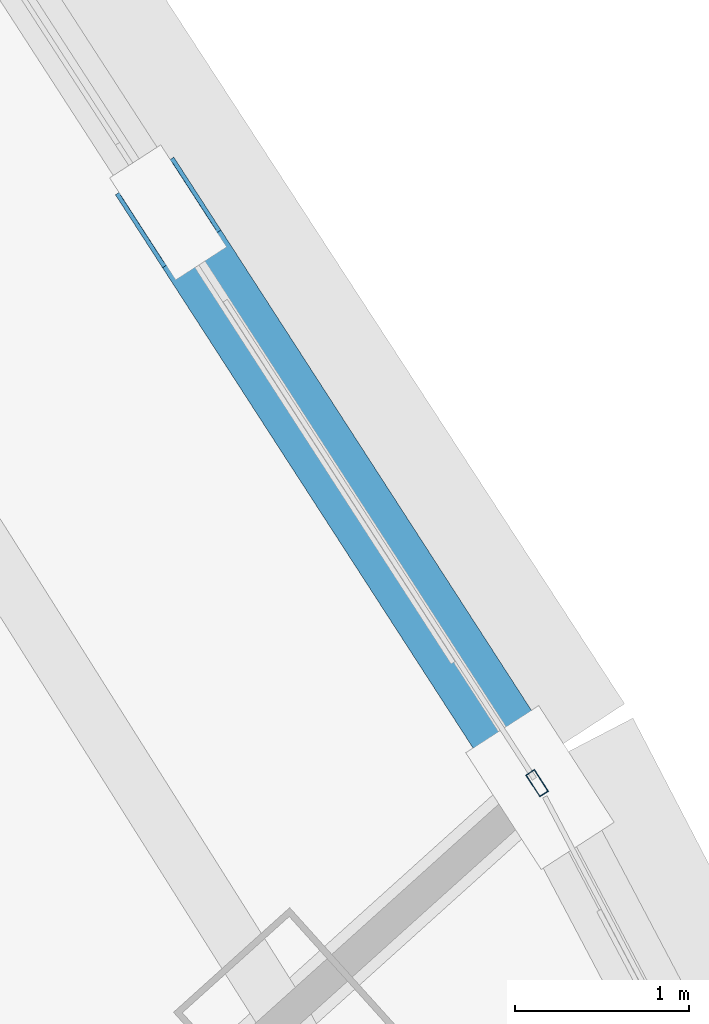
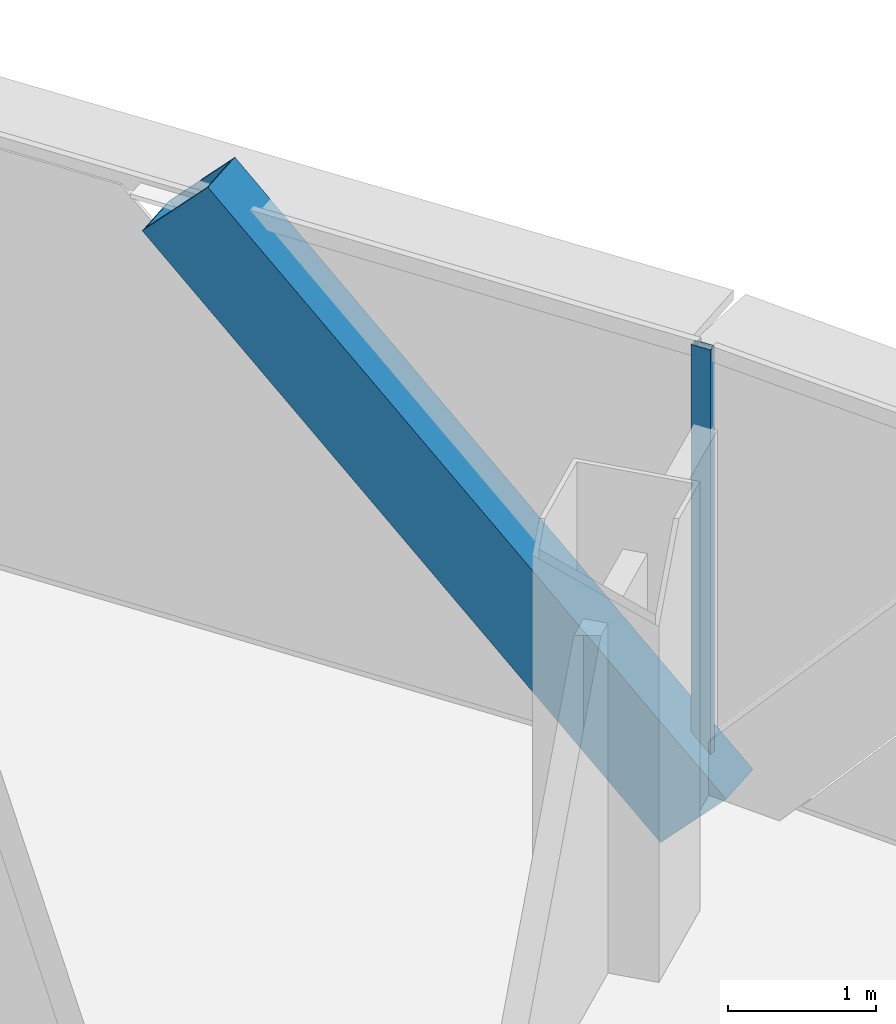
# One storey, part 20 of 37: 2 members, 1 element without a shape of its own.
"""IFC4 building model written with IfcOpenShell, lengths in metres."""

import ifcopenshell
import ifcopenshell.guid

model = None  # the IFC model being written
_history = None  # IfcOwnerHistory: only IFC2X3 demands one
_inside = {}  # id of a spatial element -> (the spatial element, [elements in it])
_under = {}  # id of a project, library or spatial element -> (it, [spatial elements below it])
_declared = {}  # id of a project -> (the project, [libraries it declares])
_typed = {}  # id of a type object -> (the type object, [elements of that type])
_made_of = {}  # id of a material, layer set ... -> (it, [elements and type objects made of it])


def new_model(schema):
    """Start an empty IFC model of exactly this schema.

    Asked for "IFC4X3", IfcOpenShell would pick the latest addendum, in which some entities
    have other attributes; the version numbers below select the first issue.
    IFC2X3 requires an IfcOwnerHistory on every rooted entity: one is made here for all.
    """
    global model, _history
    if schema == "IFC4X3":
        model = ifcopenshell.file(schema_version=(4, 3, 0, 0))
    else:
        model = ifcopenshell.file(schema=schema)
    _inside.clear()
    _under.clear()
    _declared.clear()
    _typed.clear()
    _made_of.clear()
    _history = None
    if model.schema == "IFC2X3":
        org = make("IfcOrganization", Name="unknown")
        user = make(
            "IfcPersonAndOrganization",
            ThePerson=make("IfcPerson", FamilyName="unknown"),
            TheOrganization=org,
        )
        app = make(
            "IfcApplication",
            ApplicationDeveloper=org,
            Version="unknown",
            ApplicationFullName="unknown",
            ApplicationIdentifier="unknown",
        )
        _history = make(
            "IfcOwnerHistory",
            OwningUser=user,
            OwningApplication=app,
            ChangeAction="ADDED",
            CreationDate=0,
        )
    return model


def make(cls, **values):
    """One entity of the class cls with the attributes given. An attribute that is None is left unset."""
    return model.create_entity(
        cls, **{name: value for name, value in values.items() if value is not None}
    )


def rooted(cls, **values):
    """An entity with a GlobalId (a new one), such as an element, a storey or a relation."""
    return make(cls, GlobalId=ifcopenshell.guid.new(), OwnerHistory=_history, **values)


def si_unit(unit_type, name, prefix=None):
    """IfcSIUnit, for example si_unit("LENGTHUNIT", "METRE", prefix="MILLI")."""
    return make("IfcSIUnit", UnitType=unit_type, Prefix=prefix, Name=name)


def assignment(units):
    """IfcUnitAssignment: the units of a project."""
    return None if units is None else make("IfcUnitAssignment", Units=units)


def point(xyz):
    """IfcCartesianPoint."""
    return None if xyz is None else make("IfcCartesianPoint", Coordinates=xyz)


def direction(xyz):
    """IfcDirection."""
    return None if xyz is None else make("IfcDirection", DirectionRatios=xyz)


def frame(location, z_axis=None, x_axis=None):
    """IfcAxis2Placement3D, a coordinate frame: its origin and axes. An axis left out is left unset."""
    return make(
        "IfcAxis2Placement3D",
        Location=point(location),
        Axis=direction(z_axis),
        RefDirection=direction(x_axis),
    )


def frame_2d(location, x_axis=None):
    """IfcAxis2Placement2D, a coordinate frame in the plane: its origin and x axis."""
    return make(
        "IfcAxis2Placement2D", Location=point(location), RefDirection=direction(x_axis)
    )


def origin():
    """The frame at (0, 0, 0) with its axes left unset."""
    return frame((0.0, 0.0, 0.0))


def origin_2d():
    """The frame at (0, 0) in the plane with its x axis left unset."""
    return frame_2d((0.0, 0.0))


def place(relative_to, where):
    """IfcLocalPlacement: puts the frame where relative to a parent placement (None: the world)."""
    return make(
        "IfcLocalPlacement", PlacementRelTo=relative_to, RelativePlacement=where
    )


def context(
    kind, dimensions, precision=None, world=None, true_north=None, identifier=None
):
    """IfcGeometricRepresentationContext, for example the 3D "Model" context."""
    return make(
        "IfcGeometricRepresentationContext",
        ContextIdentifier=identifier,
        ContextType=kind,
        CoordinateSpaceDimension=dimensions,
        Precision=precision,
        WorldCoordinateSystem=world,
        TrueNorth=true_north,
    )


def subcontext(parent, identifier, kind, view, scale=None):
    """IfcGeometricRepresentationSubContext, for example "Body" below "Model"."""
    return make(
        "IfcGeometricRepresentationSubContext",
        ContextIdentifier=identifier,
        ContextType=kind,
        ParentContext=parent,
        TargetScale=scale,
        TargetView=view,
    )


def project(units=None, contexts=None):
    """IfcProject with its units and contexts."""
    return rooted(
        "IfcProject",
        Name="project",
        RepresentationContexts=contexts,
        UnitsInContext=assignment(units),
    )


def spatial(cls, under=None, at=None, **own):
    """A site, building, storey or space (cls), placed at a placement, below another one or the project."""
    s = rooted(cls, ObjectPlacement=at, **own)
    if under is not None:
        _under.setdefault(under.id(), (under, []))[1].append(s)
    return s


def profile(cls, at=None, kind="AREA", **sizes):
    """A parametric profile (cls). Its sizes go by their IFC names, for example OverallWidth=200.0."""
    return make(cls, ProfileType=kind, Position=at, **sizes)


def hollow_rectangle(**sizes):
    """IfcRectangleHollowProfileDef."""
    return profile("IfcRectangleHollowProfileDef", **sizes)


def extrude(swept, where, along, depth):
    """IfcExtrudedAreaSolid: the profile swept, set in the frame where, extruded along a direction by depth."""
    return make(
        "IfcExtrudedAreaSolid",
        SweptArea=swept,
        Position=where,
        ExtrudedDirection=direction(along),
        Depth=depth,
    )


def shape(context_of_items, identifier, shape_type, items):
    """IfcShapeRepresentation: the items that make up one representation, for example the "Body"."""
    return make(
        "IfcShapeRepresentation",
        ContextOfItems=context_of_items,
        RepresentationIdentifier=identifier,
        RepresentationType=shape_type,
        Items=items,
    )


def source(mapping_origin, context_of_items, identifier, shape_type, items):
    """IfcRepresentationMap: a shape defined once, which mapped items show again and again."""
    return make(
        "IfcRepresentationMap",
        MappingOrigin=mapping_origin,
        MappedRepresentation=shape(context_of_items, identifier, shape_type, items),
    )


def transform(
    local_origin,
    x_axis=None,
    y_axis=None,
    z_axis=None,
    scale=None,
    scale2=None,
    scale3=None,
    uniform=True,
):
    """IfcCartesianTransformationOperator3D, or its non-uniform kind. x_axis, y_axis, z_axis: its Axis1, 2, 3."""
    if uniform:
        return make(
            "IfcCartesianTransformationOperator3D",
            Axis1=direction(x_axis),
            Axis2=direction(y_axis),
            LocalOrigin=point(local_origin),
            Scale=scale,
            Axis3=direction(z_axis),
        )
    return make(
        "IfcCartesianTransformationOperator3DnonUniform",
        Axis1=direction(x_axis),
        Axis2=direction(y_axis),
        LocalOrigin=point(local_origin),
        Scale=scale,
        Axis3=direction(z_axis),
        Scale2=scale2,
        Scale3=scale3,
    )


def mapped(mapping_source, mapping_target):
    """IfcMappedItem: shows the shape of a source again, moved by a transform."""
    return make(
        "IfcMappedItem", MappingSource=mapping_source, MappingTarget=mapping_target
    )


def material(Name=None, Category=None):
    """IfcMaterial."""
    return make("IfcMaterial", Name=Name, Category=Category)


def layer(
    of_material, thickness, ventilated=None, Name=None, Category=None, Priority=None
):
    """IfcMaterialLayer: one layer of a wall or slab, of a material (None: an air gap)."""
    return make(
        "IfcMaterialLayer",
        Material=of_material,
        LayerThickness=thickness,
        IsVentilated=ventilated,
        Name=Name,
        Category=Category,
        Priority=Priority,
    )


def layer_set(layers, Name=None):
    """IfcMaterialLayerSet."""
    return make("IfcMaterialLayerSet", MaterialLayers=layers, LayerSetName=Name)


def material_profile(
    of_material, cross_section, Name=None, Category=None, Priority=None
):
    """IfcMaterialProfile: a cross section and its material."""
    return make(
        "IfcMaterialProfile",
        Name=Name,
        Material=of_material,
        Profile=cross_section,
        Priority=Priority,
        Category=Category,
    )


def profile_set(profiles, Name=None, composite=None):
    """IfcMaterialProfileSet."""
    return make(
        "IfcMaterialProfileSet",
        Name=Name,
        MaterialProfiles=profiles,
        CompositeProfile=composite,
    )


def made_of(thing, what):
    """Note that an element or type object is made of a material, layer set ...; save() writes the relation."""
    if what is not None:
        _made_of.setdefault(what.id(), (what, []))[1].append(thing)
    return thing


def type_object(cls, material=None, **own):
    """A type object (cls), such as IfcWallType, which elements share."""
    return made_of(rooted(cls, **own), material)


def element(
    cls,
    number,
    at=None,
    inside=None,
    cuts=None,
    type_object=None,
    material=None,
    context=None,
    identifier="Body",
    shape_type=None,
    held_by="IfcProductDefinitionShape",
    body=None,
    shapes=None,
    **own,
):
    """One element of the class cls, such as IfcWall. Its Tag is "e" and its number.

    at: its placement. inside: the storey or other place that contains it. cuts: it is an
    opening in that element (IfcRelVoidsElement). A single representation is given by context,
    identifier, shape_type and body (its items); several are given by shapes. held_by: the class
    of the entity that holds the representations. save() writes the other relations.
    """
    e = rooted(cls, Tag="e%d" % number, ObjectPlacement=at, **own)
    if body is not None:
        shapes = [shape(context, identifier, shape_type, body)]
    if shapes is not None:
        e.Representation = make(held_by, Representations=shapes)
    if inside is not None:
        _inside.setdefault(inside.id(), (inside, []))[1].append(e)
    if cuts is not None:
        rooted(
            "IfcRelVoidsElement", RelatingBuildingElement=cuts, RelatedOpeningElement=e
        )
    if type_object is not None:
        _typed.setdefault(type_object.id(), (type_object, []))[1].append(e)
    return made_of(e, material)


def aggregate(whole, parts):
    """IfcRelAggregates: a whole, such as a stair, and the parts it consists of."""
    return rooted("IfcRelAggregates", RelatingObject=whole, RelatedObjects=parts)


def save(model, path):
    """Write the relations noted so far, then the file.

    IfcRelAggregates (storeys below a building ...), IfcRelContainedInSpatialStructure (elements
    in a storey), IfcRelDefinesByType, IfcRelAssociatesMaterial and IfcRelDeclares: one each for
    every whole, place, type object, material and project.
    """
    for whole, parts in _under.values():
        aggregate(whole, parts)
    for where, things in _inside.values():
        rooted(
            "IfcRelContainedInSpatialStructure",
            RelatedElements=things,
            RelatingStructure=where,
        )
    for kind, things in _typed.values():
        rooted("IfcRelDefinesByType", RelatedObjects=things, RelatingType=kind)
    for what, things in _made_of.values():
        rooted("IfcRelAssociatesMaterial", RelatedObjects=things, RelatingMaterial=what)
    for by, libraries in _declared.values():
        rooted("IfcRelDeclares", RelatingContext=by, RelatedDefinitions=libraries)
    model.write(path)


model = new_model("IFC4")

# Units and contexts
model_context = context("Model", 3, precision=1e-05, world=origin(), true_north=direction((0.0, 1.0)))
body_context = subcontext(model_context, "Body", "Model", "MODEL_VIEW")
ifc_project = project(units=[si_unit("LENGTHUNIT", "METRE"), si_unit("AREAUNIT", "SQUARE_METRE"), si_unit("VOLUMEUNIT", "CUBIC_METRE"), si_unit("PLANEANGLEUNIT", "RADIAN"), si_unit("MASSUNIT", "GRAM", prefix="KILO"), si_unit("THERMODYNAMICTEMPERATUREUNIT", "KELVIN"), si_unit("POWERUNIT", "WATT")], contexts=[model_context])

# Site, building, storey
site_placement = place(None, origin())
site = spatial("IfcSite", under=ifc_project, at=site_placement, CompositionType="ELEMENT")
building_placement = place(site_placement, origin())
building = spatial("IfcBuilding", under=site, at=building_placement, Name="Yunzhuo Pagoda Commons", CompositionType="ELEMENT")
storey_placement = place(building_placement, frame((0.0, 0.0, 192.360107421875)))
storey = spatial("IfcBuildingStorey", under=building, at=storey_placement, Name="L48", CompositionType="ELEMENT", Elevation=192.360107421875)

# Member
ifc_material_1 = material(Name="Structural steel Q355B", Category="steel")
ifc_material_profile_1 = material_profile(ifc_material_1, hollow_rectangle(XDim=0.39990234375, YDim=0.719970703125, WallThickness=0.02392578125, at=origin_2d()), Name="Structural steel Q355B")
ifc_profile_set_1 = profile_set([ifc_material_profile_1], Name="Structural steel Q355B")
member_type_1 = type_object("IfcMemberType", Name="M-DL2 Brace BOX 720x400x24", PredefinedType="BRACE", material=ifc_profile_set_1)
shared_shape_1 = source(origin(), body_context, "Body", "SweptSolid", [
    extrude(hollow_rectangle(XDim=0.39990234375, YDim=0.719970703125, WallThickness=0.02392578125, at=origin_2d()), origin(), (0.0, 0.0, 1.0), 5.474609375),
])
member_1_placement = place(storey_placement, frame((72.124267578125, 55.421630859375, -0.260009765625), z_axis=(-0.390830371992, 0.604574093234, 0.694076210599), x_axis=(-0.839801094268, -0.542894208908, 0.0)))
element("IfcMember", 1, at=member_1_placement, inside=storey, type_object=member_type_1, Name="L48 facade diamond brace F2.3L", PredefinedType="BRACE", context=body_context, shape_type="MappedRepresentation", body=[
    mapped(shared_shape_1, transform((0.0, 0.0, 0.0), scale=1.0)),
])

# Curtain wall, member
ifc_material_2 = material(Name="Anodized aluminium 6063-T6", Category="aluminium")
ifc_layer = layer(ifc_material_2, 0.14990234375)
ifc_layer_set = layer_set([ifc_layer], Name="Anodized aluminium 6063-T6")
curtain_wall_type = type_object("IfcCurtainWallType", Name="CW-MID Mid-Zone Ribbon Curtain Wall", PredefinedType="NOTDEFINED", material=ifc_layer_set)
curtain_wall_placement = place(storey_placement, origin())
curtain_wall = element("IfcCurtainWall", 2, at=curtain_wall_placement, inside=storey, type_object=curtain_wall_type, Name="L48 curtain wall CW-L48-F2B4", PredefinedType="NOTDEFINED")
ifc_material_profile_2 = material_profile(ifc_material_2, hollow_rectangle(XDim=0.06005859375, YDim=0.14990234375, WallThickness=0.00390625, at=origin_2d()), Name="Anodized aluminium 6063-T6")
ifc_profile_set_2 = profile_set([ifc_material_profile_2], Name="Anodized aluminium 6063-T6")
member_type_2 = type_object("IfcMemberType", Name="CW-MID-M Mullion RHS 150x60x4", PredefinedType="MULLION", material=ifc_profile_set_2)
shared_shape_2 = source(origin(), body_context, "Body", "SweptSolid", [
    extrude(hollow_rectangle(XDim=0.06005859375, YDim=0.14990234375, WallThickness=0.00390625, at=origin_2d()), origin(), (0.0, 0.0, 1.0), 3.539794921875),
])
member_2_placement = place(storey_placement, frame((72.10791015625, 55.44677734375, 0.0), z_axis=(0.0, 0.0, 1.0), x_axis=(-0.839794048542, -0.542905107761, 0.0)))
member_2 = element("IfcMember", 3, at=member_2_placement, type_object=member_type_2, Name="CW mullion 1", PredefinedType="MULLION", context=body_context, shape_type="MappedRepresentation", body=[
    mapped(shared_shape_2, transform((0.0, 0.0, 0.0), scale=1.0)),
])
aggregate(curtain_wall, [member_2])

save(model, "model.ifc")
